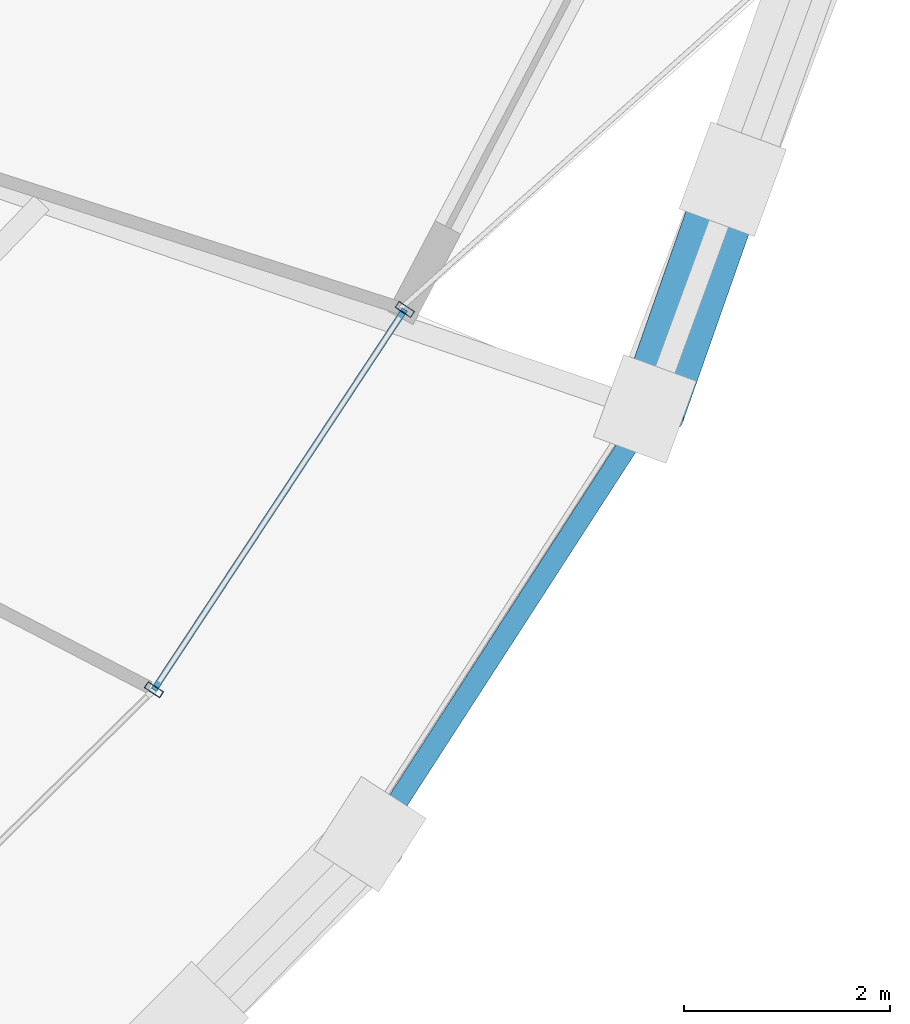
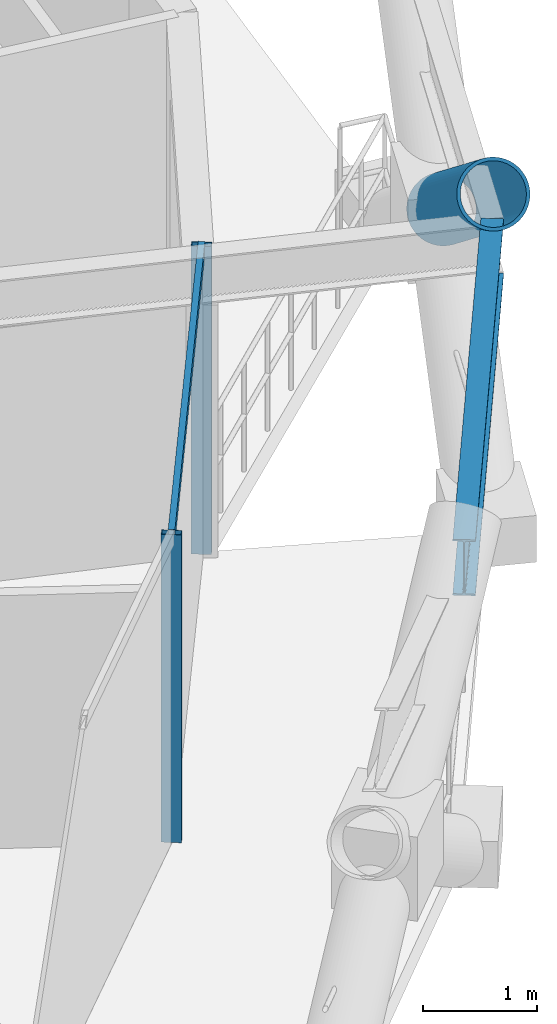
# One storey, part 12 of 21: 4 members, 1 beam, 1 element without a shape of its own.
"""IFC4 building model written with IfcOpenShell, lengths in metres."""

from ifc_helpers import new_model, si_unit, direction, frame, origin, origin_2d, place, context, subcontext, project, spatial, hollow_rectangle, hollow_circle, i_section, extrude, material, layer, layer_set, material_profile, profile_set, type_object, element, aggregate, save


model = new_model("IFC4")

# Units and contexts
model_context = context("Model", 3, precision=1e-05, world=origin(), true_north=direction((0.0, 1.0)))
body_context = subcontext(model_context, "Body", "Model", "MODEL_VIEW")
ifc_project = project(units=[si_unit("LENGTHUNIT", "METRE"), si_unit("AREAUNIT", "SQUARE_METRE"), si_unit("VOLUMEUNIT", "CUBIC_METRE"), si_unit("PLANEANGLEUNIT", "RADIAN"), si_unit("MASSUNIT", "GRAM", prefix="KILO")], contexts=[model_context])

# Site, building, storey
site_placement = place(None, origin())
site = spatial("IfcSite", under=ifc_project, at=site_placement, CompositionType="ELEMENT")
building_placement = place(site_placement, origin())
building = spatial("IfcBuilding", under=site, at=building_placement, Name="Veldorina Hangang Commons", CompositionType="ELEMENT")
storey_placement = place(building_placement, frame((0.0, 0.0, 66.39990234375)))
storey = spatial("IfcBuildingStorey", under=building, at=storey_placement, Name="L16", CompositionType="ELEMENT", Elevation=66.39990234375)

# Beam
ifc_material_1 = material(Name="Steel SM420-TMC", Category="steel")
ifc_material_profile_1 = material_profile(ifc_material_1, i_section(OverallWidth=0.199951171875, OverallDepth=0.60009765625, WebThickness=0.010986328125, FlangeThickness=0.01708984375, FilletRadius=0.01806640625, at=origin_2d()), Name="H-600x200x11x17")
ifc_profile_set_1 = profile_set([ifc_material_profile_1], Name="Steel SM420-TMC")
beam_type = type_object("IfcBeamType", Name="BM-RB600", PredefinedType="BEAM", material=ifc_profile_set_1)
beam_placement = place(storey_placement, frame((56.0341796875, 10.71875, 3.0400390625), z_axis=(0.542852144434, 0.839828285594, 0.0), x_axis=(-0.839828285594, 0.542852144434, 0.0)))
element("IfcBeam", 1, at=beam_placement, inside=storey, type_object=beam_type, Name="L16 perimeter hoop ring beam 29", PredefinedType="BEAM", context=body_context, shape_type="SweptSolid", body=[
    extrude(i_section(OverallWidth=0.199951171875, OverallDepth=0.60009765625, WebThickness=0.010986328125, FlangeThickness=0.01708984375, FilletRadius=0.01806640625, at=origin_2d()), origin(), (0.0, 0.0, 1.0), 4.921142578125),
])

# Curtain wall, members
ifc_material_2 = material(Name="Glass Low-E Triple IGU", Category="glass")
ifc_layer = layer(ifc_material_2, 0.179931640625)
ifc_layer_set = layer_set([ifc_layer], Name="Glass Low-E Triple IGU")
curtain_wall_type = type_object("IfcCurtainWallType", Name="CW-SYS-Z1", PredefinedType="NOTDEFINED", material=ifc_layer_set)
curtain_wall_placement = place(storey_placement, origin())
curtain_wall = element("IfcCurtainWall", 2, at=curtain_wall_placement, inside=storey, type_object=curtain_wall_type, Name="L16 unitised curtain wall CW-L16-R2", PredefinedType="NOTDEFINED")
ifc_material_3 = material(Name="Aluminium Anodized AA6063-T6", Category="aluminium")
ifc_material_profile_2 = material_profile(ifc_material_3, hollow_rectangle(XDim=0.070068359375, YDim=0.179931640625, WallThickness=0.00390625, at=origin_2d()), Name="ALU-RHS-180x70x4")
ifc_profile_set_2 = profile_set([ifc_material_profile_2], Name="Aluminium Anodized AA6063-T6")
member_type_1 = type_object("IfcMemberType", Name="CW-MUL-180", PredefinedType="MULLION", material=ifc_profile_set_2)
member_1_placement = place(storey_placement, frame((53.893798828125, 12.14892578125, 0.0), z_axis=(0.0, 0.0, 1.0), x_axis=(0.550728420198, 0.834684495595, 0.0)))
member_1 = element("IfcMember", 3, at=member_1_placement, type_object=member_type_1, Name="CW-L16-R2 vertical mullion 5", PredefinedType="MULLION", context=body_context, shape_type="SweptSolid", body=[
    extrude(hollow_rectangle(XDim=0.070068359375, YDim=0.179931640625, WallThickness=0.00390625, at=origin_2d()), origin(), (0.0, 0.0, 1.0), 3.300048828125),
])
member_2_placement = place(storey_placement, frame((56.3271484375, 15.8369140625, 0.0), z_axis=(0.0, 0.0, 1.0), x_axis=(-0.550728420198, -0.834684495595, 0.0)))
member_2 = element("IfcMember", 4, at=member_2_placement, type_object=member_type_1, Name="CW-L16-R2 vertical mullion 6", PredefinedType="MULLION", context=body_context, shape_type="SweptSolid", body=[
    extrude(hollow_rectangle(XDim=0.070068359375, YDim=0.179931640625, WallThickness=0.00390625, at=origin_2d()), origin(), (0.0, 0.0, 1.0), 3.300048828125),
])
ifc_material_profile_3 = material_profile(ifc_material_3, hollow_rectangle(XDim=0.06005859375, YDim=0.139892578125, WallThickness=0.00341796875, at=origin_2d()), Name="ALU-RHS-140x60x3.5")
ifc_profile_set_3 = profile_set([ifc_material_profile_3], Name="Aluminium Anodized AA6063-T6")
member_type_2 = type_object("IfcMemberType", Name="CW-TRN-140", PredefinedType="USERDEFINED", material=ifc_profile_set_3)
member_3_placement = place(storey_placement, frame((53.893798828125, 12.14892578125, 3.260009765625), z_axis=(0.550728275014, 0.834684591388, 0.0), x_axis=(-0.834684591388, 0.550728275014, 0.0)))
member_3 = element("IfcMember", 5, at=member_3_placement, type_object=member_type_2, Name="CW-L16-R2 facet 5 transom 1", ObjectType="TRANSOM", PredefinedType="USERDEFINED", context=body_context, shape_type="SweptSolid", body=[
    extrude(hollow_rectangle(XDim=0.06005859375, YDim=0.139892578125, WallThickness=0.00341796875, at=origin_2d()), origin(), (0.0, 0.0, 1.0), 4.41845703125),
])
aggregate(curtain_wall, [member_1, member_2, member_3])

# Member
ifc_material_4 = material(Name="Steel SM460-TMC", Category="steel")
ifc_material_profile_4 = material_profile(ifc_material_4, hollow_circle(Radius=0.324951171875, WallThickness=0.031982421875, at=origin_2d()), Name="CHS-650x32")
ifc_profile_set_4 = profile_set([ifc_material_profile_4], Name="Steel SM460-TMC")
member_type_3 = type_object("IfcMemberType", Name="DG-CHS650", PredefinedType="BRACE", material=ifc_profile_set_4)
member_4_placement = place(storey_placement, frame((59.506591796875, 17.100341796875, 1.797607421875), z_axis=(-0.264738007421, -0.752920116049, 0.602515631562), x_axis=(0.94338232725, -0.331707378019, 0.0)))
element("IfcMember", 6, at=member_4_placement, inside=storey, type_object=member_type_3, Name="L16 split perimeter diagrid upper brace 31", PredefinedType="BRACE", context=body_context, shape_type="SweptSolid", body=[
    extrude(hollow_circle(Radius=0.324951171875, WallThickness=0.031982421875, at=origin_2d()), origin(), (0.0, 0.0, 1.0), 2.99169921875),
])

save(model, "model.ifc")
